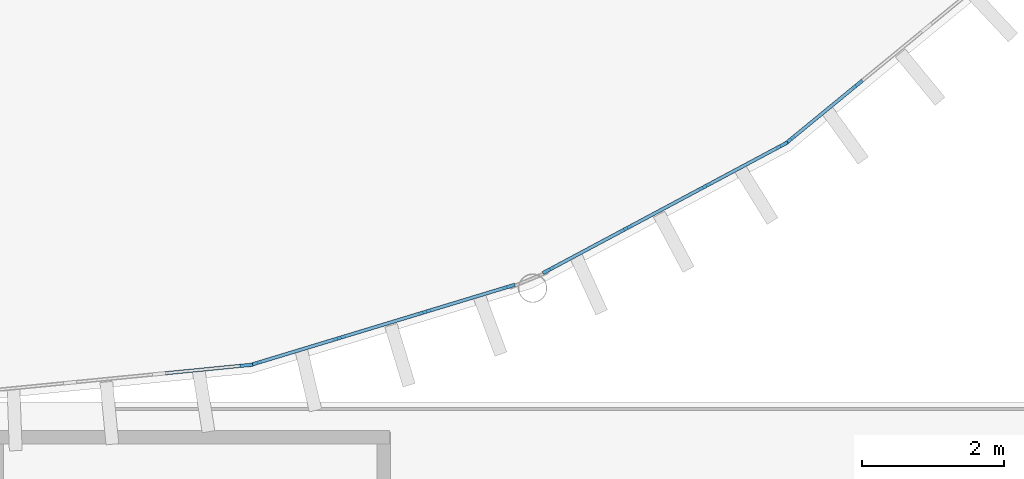
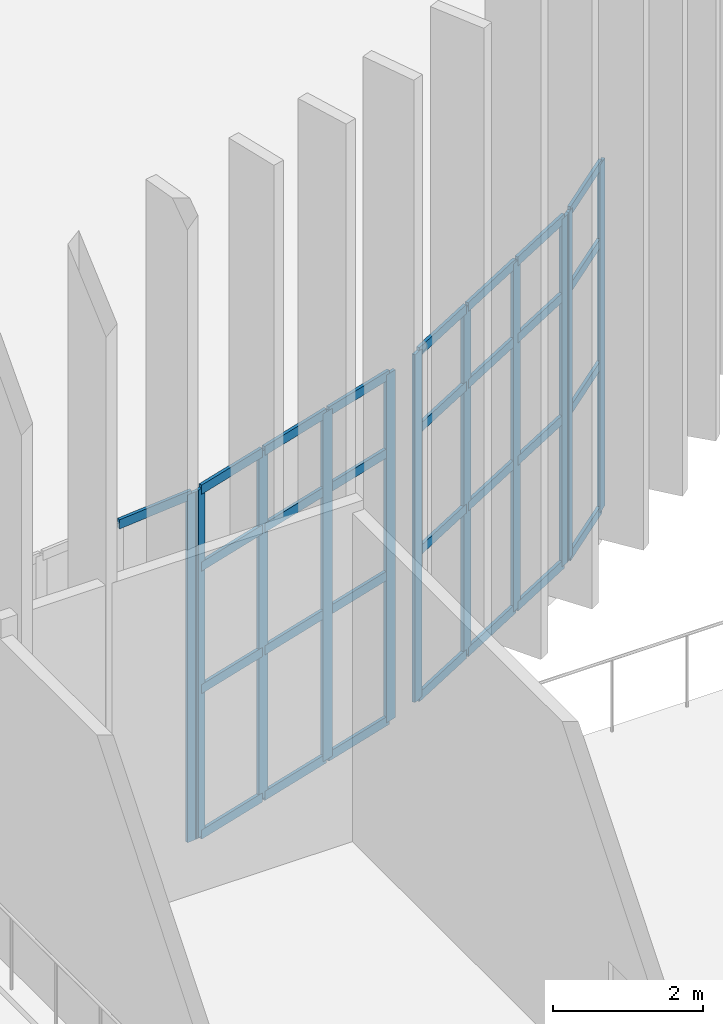
# One storey, part 53 of 139: 40 members, 4 elements without a shape of their own.
"""IFC4 building model written with IfcOpenShell, lengths in metres."""

import ifcopenshell
import ifcopenshell.guid

model = None  # the IFC model being written
_history = None  # IfcOwnerHistory: only IFC2X3 demands one
_inside = {}  # id of a spatial element -> (the spatial element, [elements in it])
_under = {}  # id of a project, library or spatial element -> (it, [spatial elements below it])
_declared = {}  # id of a project -> (the project, [libraries it declares])
_typed = {}  # id of a type object -> (the type object, [elements of that type])
_made_of = {}  # id of a material, layer set ... -> (it, [elements and type objects made of it])


def new_model(schema):
    """Start an empty IFC model of exactly this schema.

    Asked for "IFC4X3", IfcOpenShell would pick the latest addendum, in which some entities
    have other attributes; the version numbers below select the first issue.
    IFC2X3 requires an IfcOwnerHistory on every rooted entity: one is made here for all.
    """
    global model, _history
    if schema == "IFC4X3":
        model = ifcopenshell.file(schema_version=(4, 3, 0, 0))
    else:
        model = ifcopenshell.file(schema=schema)
    _inside.clear()
    _under.clear()
    _declared.clear()
    _typed.clear()
    _made_of.clear()
    _history = None
    if model.schema == "IFC2X3":
        org = make("IfcOrganization", Name="unknown")
        user = make(
            "IfcPersonAndOrganization",
            ThePerson=make("IfcPerson", FamilyName="unknown"),
            TheOrganization=org,
        )
        app = make(
            "IfcApplication",
            ApplicationDeveloper=org,
            Version="unknown",
            ApplicationFullName="unknown",
            ApplicationIdentifier="unknown",
        )
        _history = make(
            "IfcOwnerHistory",
            OwningUser=user,
            OwningApplication=app,
            ChangeAction="ADDED",
            CreationDate=0,
        )
    return model


def make(cls, **values):
    """One entity of the class cls with the attributes given. An attribute that is None is left unset."""
    return model.create_entity(
        cls, **{name: value for name, value in values.items() if value is not None}
    )


def rooted(cls, **values):
    """An entity with a GlobalId (a new one), such as an element, a storey or a relation."""
    return make(cls, GlobalId=ifcopenshell.guid.new(), OwnerHistory=_history, **values)


def si_unit(unit_type, name, prefix=None):
    """IfcSIUnit, for example si_unit("LENGTHUNIT", "METRE", prefix="MILLI")."""
    return make("IfcSIUnit", UnitType=unit_type, Prefix=prefix, Name=name)


def assignment(units):
    """IfcUnitAssignment: the units of a project."""
    return None if units is None else make("IfcUnitAssignment", Units=units)


def point(xyz):
    """IfcCartesianPoint."""
    return None if xyz is None else make("IfcCartesianPoint", Coordinates=xyz)


def direction(xyz):
    """IfcDirection."""
    return None if xyz is None else make("IfcDirection", DirectionRatios=xyz)


def frame(location, z_axis=None, x_axis=None):
    """IfcAxis2Placement3D, a coordinate frame: its origin and axes. An axis left out is left unset."""
    return make(
        "IfcAxis2Placement3D",
        Location=point(location),
        Axis=direction(z_axis),
        RefDirection=direction(x_axis),
    )


def frame_2d(location, x_axis=None):
    """IfcAxis2Placement2D, a coordinate frame in the plane: its origin and x axis."""
    return make(
        "IfcAxis2Placement2D", Location=point(location), RefDirection=direction(x_axis)
    )


def origin():
    """The frame at (0, 0, 0) with its axes left unset."""
    return frame((0.0, 0.0, 0.0))


def origin_2d():
    """The frame at (0, 0) in the plane with its x axis left unset."""
    return frame_2d((0.0, 0.0))


def place(relative_to, where):
    """IfcLocalPlacement: puts the frame where relative to a parent placement (None: the world)."""
    return make(
        "IfcLocalPlacement", PlacementRelTo=relative_to, RelativePlacement=where
    )


def context(
    kind, dimensions, precision=None, world=None, true_north=None, identifier=None
):
    """IfcGeometricRepresentationContext, for example the 3D "Model" context."""
    return make(
        "IfcGeometricRepresentationContext",
        ContextIdentifier=identifier,
        ContextType=kind,
        CoordinateSpaceDimension=dimensions,
        Precision=precision,
        WorldCoordinateSystem=world,
        TrueNorth=true_north,
    )


def subcontext(parent, identifier, kind, view, scale=None):
    """IfcGeometricRepresentationSubContext, for example "Body" below "Model"."""
    return make(
        "IfcGeometricRepresentationSubContext",
        ContextIdentifier=identifier,
        ContextType=kind,
        ParentContext=parent,
        TargetScale=scale,
        TargetView=view,
    )


def project(units=None, contexts=None):
    """IfcProject with its units and contexts."""
    return rooted(
        "IfcProject",
        Name="project",
        RepresentationContexts=contexts,
        UnitsInContext=assignment(units),
    )


def spatial(cls, under=None, at=None, **own):
    """A site, building, storey or space (cls), placed at a placement, below another one or the project."""
    s = rooted(cls, ObjectPlacement=at, **own)
    if under is not None:
        _under.setdefault(under.id(), (under, []))[1].append(s)
    return s


def profile(cls, at=None, kind="AREA", **sizes):
    """A parametric profile (cls). Its sizes go by their IFC names, for example OverallWidth=200.0."""
    return make(cls, ProfileType=kind, Position=at, **sizes)


def rectangle(**sizes):
    """IfcRectangleProfileDef."""
    return profile("IfcRectangleProfileDef", **sizes)


def extrude(swept, where, along, depth):
    """IfcExtrudedAreaSolid: the profile swept, set in the frame where, extruded along a direction by depth."""
    return make(
        "IfcExtrudedAreaSolid",
        SweptArea=swept,
        Position=where,
        ExtrudedDirection=direction(along),
        Depth=depth,
    )


def shape(context_of_items, identifier, shape_type, items):
    """IfcShapeRepresentation: the items that make up one representation, for example the "Body"."""
    return make(
        "IfcShapeRepresentation",
        ContextOfItems=context_of_items,
        RepresentationIdentifier=identifier,
        RepresentationType=shape_type,
        Items=items,
    )


def material(Name=None, Category=None):
    """IfcMaterial."""
    return make("IfcMaterial", Name=Name, Category=Category)


def layer(
    of_material, thickness, ventilated=None, Name=None, Category=None, Priority=None
):
    """IfcMaterialLayer: one layer of a wall or slab, of a material (None: an air gap)."""
    return make(
        "IfcMaterialLayer",
        Material=of_material,
        LayerThickness=thickness,
        IsVentilated=ventilated,
        Name=Name,
        Category=Category,
        Priority=Priority,
    )


def layer_set(layers, Name=None):
    """IfcMaterialLayerSet."""
    return make("IfcMaterialLayerSet", MaterialLayers=layers, LayerSetName=Name)


def material_profile(
    of_material, cross_section, Name=None, Category=None, Priority=None
):
    """IfcMaterialProfile: a cross section and its material."""
    return make(
        "IfcMaterialProfile",
        Name=Name,
        Material=of_material,
        Profile=cross_section,
        Priority=Priority,
        Category=Category,
    )


def profile_set(profiles, Name=None, composite=None):
    """IfcMaterialProfileSet."""
    return make(
        "IfcMaterialProfileSet",
        Name=Name,
        MaterialProfiles=profiles,
        CompositeProfile=composite,
    )


def made_of(thing, what):
    """Note that an element or type object is made of a material, layer set ...; save() writes the relation."""
    if what is not None:
        _made_of.setdefault(what.id(), (what, []))[1].append(thing)
    return thing


def type_object(cls, material=None, **own):
    """A type object (cls), such as IfcWallType, which elements share."""
    return made_of(rooted(cls, **own), material)


def element(
    cls,
    number,
    at=None,
    inside=None,
    cuts=None,
    type_object=None,
    material=None,
    context=None,
    identifier="Body",
    shape_type=None,
    held_by="IfcProductDefinitionShape",
    body=None,
    shapes=None,
    **own,
):
    """One element of the class cls, such as IfcWall. Its Tag is "e" and its number.

    at: its placement. inside: the storey or other place that contains it. cuts: it is an
    opening in that element (IfcRelVoidsElement). A single representation is given by context,
    identifier, shape_type and body (its items); several are given by shapes. held_by: the class
    of the entity that holds the representations. save() writes the other relations.
    """
    e = rooted(cls, Tag="e%d" % number, ObjectPlacement=at, **own)
    if body is not None:
        shapes = [shape(context, identifier, shape_type, body)]
    if shapes is not None:
        e.Representation = make(held_by, Representations=shapes)
    if inside is not None:
        _inside.setdefault(inside.id(), (inside, []))[1].append(e)
    if cuts is not None:
        rooted(
            "IfcRelVoidsElement", RelatingBuildingElement=cuts, RelatedOpeningElement=e
        )
    if type_object is not None:
        _typed.setdefault(type_object.id(), (type_object, []))[1].append(e)
    return made_of(e, material)


def aggregate(whole, parts):
    """IfcRelAggregates: a whole, such as a stair, and the parts it consists of."""
    return rooted("IfcRelAggregates", RelatingObject=whole, RelatedObjects=parts)


def save(model, path):
    """Write the relations noted so far, then the file.

    IfcRelAggregates (storeys below a building ...), IfcRelContainedInSpatialStructure (elements
    in a storey), IfcRelDefinesByType, IfcRelAssociatesMaterial and IfcRelDeclares: one each for
    every whole, place, type object, material and project.
    """
    for whole, parts in _under.values():
        aggregate(whole, parts)
    for where, things in _inside.values():
        rooted(
            "IfcRelContainedInSpatialStructure",
            RelatedElements=things,
            RelatingStructure=where,
        )
    for kind, things in _typed.values():
        rooted("IfcRelDefinesByType", RelatedObjects=things, RelatingType=kind)
    for what, things in _made_of.values():
        rooted("IfcRelAssociatesMaterial", RelatedObjects=things, RelatingMaterial=what)
    for by, libraries in _declared.values():
        rooted("IfcRelDeclares", RelatingContext=by, RelatedDefinitions=libraries)
    model.write(path)


model = new_model("IFC4")

# Units and contexts
model_context = context("Model", 3, precision=1e-05, world=origin(), true_north=direction((0.0, 1.0)))
body_context = subcontext(model_context, "Body", "Model", "MODEL_VIEW")
ifc_project = project(units=[si_unit("LENGTHUNIT", "METRE"), si_unit("AREAUNIT", "SQUARE_METRE"), si_unit("VOLUMEUNIT", "CUBIC_METRE"), si_unit("PLANEANGLEUNIT", "RADIAN"), si_unit("MASSUNIT", "GRAM", prefix="KILO")], contexts=[model_context])

# Site, building, storey
site_placement = place(None, origin())
site = spatial("IfcSite", under=ifc_project, at=site_placement, CompositionType="ELEMENT")
building_placement = place(site_placement, origin())
building = spatial("IfcBuilding", under=site, at=building_placement, Name="Yeouljin Market Hall", CompositionType="ELEMENT")
storey_placement = place(building_placement, origin())
storey = spatial("IfcBuildingStorey", under=building, at=storey_placement, Name="L00", CompositionType="ELEMENT", Elevation=0.0)

# Curtain wall, member
ifc_material_1 = material(Name="Thermally Broken Aluminium", Category="aluminium")
ifc_layer = layer(ifc_material_1, 0.179931640625)
ifc_layer_set = layer_set([ifc_layer], Name="Thermally Broken Aluminium")
curtain_wall_type = type_object("IfcCurtainWallType", Name="CW_ApseCurved_System", PredefinedType="USERDEFINED", material=ifc_layer_set)
curtain_wall_1_placement = place(storey_placement, origin())
curtain_wall_1 = element("IfcCurtainWall", 1, at=curtain_wall_1_placement, inside=storey, type_object=curtain_wall_type, Name="Curtain wall CW-AP-EL00-01", ObjectType="CURTAIN WALL", PredefinedType="USERDEFINED")
ifc_material_2 = material(Name="Thermally Broken Aluminium", Category="aluminium")
ifc_material_profile_1 = material_profile(ifc_material_2, rectangle(XDim=0.048095703125, YDim=0.179931640625, at=origin_2d()), Name="CW-MULL-48x180")
ifc_profile_set_1 = profile_set([ifc_material_profile_1], Name="Thermally Broken Aluminium")
member_type_1 = type_object("IfcMemberType", Name="CWMullion_48x180", PredefinedType="MULLION", material=ifc_profile_set_1)
member_1_placement = place(storey_placement, frame((145.009765625, 36.514892578125, 0.0), z_axis=(0.0, 0.0, 1.0), x_axis=(0.09803414403, -0.995183051807, 0.0)))
member_1 = element("IfcMember", 2, at=member_1_placement, type_object=member_type_1, Name="CW-03 mullion 1", PredefinedType="MULLION", context=body_context, shape_type="SweptSolid", body=[
    extrude(rectangle(XDim=0.048095703125, YDim=0.179931640625, at=origin_2d()), origin(), (0.0, 0.0, 1.0), 5.679931640625),
])

# Curtain wall, members
curtain_wall_2_placement = place(storey_placement, origin())
curtain_wall_2 = element("IfcCurtainWall", 3, at=curtain_wall_2_placement, inside=storey, type_object=curtain_wall_type, Name="Curtain wall CW-AP-EL00-02", ObjectType="CURTAIN WALL", PredefinedType="USERDEFINED")
member_2_placement = place(storey_placement, frame((148.699462890625, 37.62109375, 0.0), z_axis=(0.0, 0.0, 1.0), x_axis=(0.290286164863, -0.95693988447, 0.0)))
member_2 = element("IfcMember", 4, at=member_2_placement, type_object=member_type_1, Name="CW-03 mullion 1", PredefinedType="MULLION", context=body_context, shape_type="SweptSolid", body=[
    extrude(rectangle(XDim=0.048095703125, YDim=0.179931640625, at=origin_2d()), origin(), (0.0, 0.0, 1.0), 5.679931640625),
])
member_3_placement = place(storey_placement, frame((147.51904296875, 37.262939453125, 0.0), z_axis=(0.0, 0.0, 1.0), x_axis=(0.290286164863, -0.95693988447, 0.0)))
member_3 = element("IfcMember", 5, at=member_3_placement, type_object=member_type_1, Name="CW-03 mullion 2", PredefinedType="MULLION", context=body_context, shape_type="SweptSolid", body=[
    extrude(rectangle(XDim=0.048095703125, YDim=0.179931640625, at=origin_2d()), origin(), (0.0, 0.0, 1.0), 5.679931640625),
])
member_4_placement = place(storey_placement, frame((146.3154296875, 36.89794921875, 0.0), z_axis=(0.0, 0.0, 1.0), x_axis=(0.290286164863, -0.95693988447, 0.0)))
member_4 = element("IfcMember", 6, at=member_4_placement, type_object=member_type_1, Name="CW-03 mullion 3", PredefinedType="MULLION", context=body_context, shape_type="SweptSolid", body=[
    extrude(rectangle(XDim=0.048095703125, YDim=0.179931640625, at=origin_2d()), origin(), (0.0, 0.0, 1.0), 5.679931640625),
])
member_5_placement = place(storey_placement, frame((145.134765625, 36.539794921875, 0.0), z_axis=(0.0, 0.0, 1.0), x_axis=(0.290286164863, -0.95693988447, 0.0)))
member_5 = element("IfcMember", 7, at=member_5_placement, type_object=member_type_1, Name="CW-03 mullion 4", PredefinedType="MULLION", context=body_context, shape_type="SweptSolid", body=[
    extrude(rectangle(XDim=0.048095703125, YDim=0.179931640625, at=origin_2d()), origin(), (0.0, 0.0, 1.0), 5.679931640625),
])

curtain_wall_3_placement = place(storey_placement, origin())
curtain_wall_3 = element("IfcCurtainWall", 8, at=curtain_wall_3_placement, inside=storey, type_object=curtain_wall_type, Name="Curtain wall CW-AP-EL00-03", ObjectType="CURTAIN WALL", PredefinedType="USERDEFINED")
member_6_placement = place(storey_placement, frame((152.5439453125, 39.608642578125, 0.0), z_axis=(0.0, 0.0, 1.0), x_axis=(0.471377626598, -0.881931478712, 0.0)))
member_6 = element("IfcMember", 9, at=member_6_placement, type_object=member_type_1, Name="CW-03 mullion 1", PredefinedType="MULLION", context=body_context, shape_type="SweptSolid", body=[
    extrude(rectangle(XDim=0.048095703125, YDim=0.179931640625, at=origin_2d()), origin(), (0.0, 0.0, 1.0), 5.679931640625),
])
member_7_placement = place(storey_placement, frame((151.455810546875, 39.027099609375, 0.0), z_axis=(0.0, 0.0, 1.0), x_axis=(0.471377626598, -0.881931478712, 0.0)))
member_7 = element("IfcMember", 10, at=member_7_placement, type_object=member_type_1, Name="CW-03 mullion 2", PredefinedType="MULLION", context=body_context, shape_type="SweptSolid", body=[
    extrude(rectangle(XDim=0.048095703125, YDim=0.179931640625, at=origin_2d()), origin(), (0.0, 0.0, 1.0), 5.679931640625),
])
member_8_placement = place(storey_placement, frame((150.346435546875, 38.434326171875, 0.0), z_axis=(0.0, 0.0, 1.0), x_axis=(0.471377626598, -0.881931478712, 0.0)))
member_8 = element("IfcMember", 11, at=member_8_placement, type_object=member_type_1, Name="CW-03 mullion 3", PredefinedType="MULLION", context=body_context, shape_type="SweptSolid", body=[
    extrude(rectangle(XDim=0.048095703125, YDim=0.179931640625, at=origin_2d()), origin(), (0.0, 0.0, 1.0), 5.679931640625),
])
member_9_placement = place(storey_placement, frame((149.258544921875, 37.852783203125, 0.0), z_axis=(0.0, 0.0, 1.0), x_axis=(0.471377626598, -0.881931478712, 0.0)))
member_9 = element("IfcMember", 12, at=member_9_placement, type_object=member_type_1, Name="CW-03 mullion 4", PredefinedType="MULLION", context=body_context, shape_type="SweptSolid", body=[
    extrude(rectangle(XDim=0.048095703125, YDim=0.179931640625, at=origin_2d()), origin(), (0.0, 0.0, 1.0), 5.679931640625),
])

curtain_wall_4_placement = place(storey_placement, origin())
curtain_wall_4 = element("IfcCurtainWall", 13, at=curtain_wall_4_placement, inside=storey, type_object=curtain_wall_type, Name="Curtain wall CW-AP-EL00-04", ObjectType="CURTAIN WALL", PredefinedType="USERDEFINED")
member_10_placement = place(storey_placement, frame((153.603515625, 40.462158203125, 0.0), z_axis=(0.0, 0.0, 1.0), x_axis=(0.634384432096, -0.773017717982, 0.0)))
member_10 = element("IfcMember", 14, at=member_10_placement, type_object=member_type_1, Name="CW-03 mullion 3", PredefinedType="MULLION", context=body_context, shape_type="SweptSolid", body=[
    extrude(rectangle(XDim=0.048095703125, YDim=0.179931640625, at=origin_2d()), origin(), (0.0, 0.0, 1.0), 5.679931640625),
])
member_11_placement = place(storey_placement, frame((152.649658203125, 39.679443359375, 0.0), z_axis=(0.0, 0.0, 1.0), x_axis=(0.634384432096, -0.773017717982, 0.0)))
member_11 = element("IfcMember", 15, at=member_11_placement, type_object=member_type_1, Name="CW-03 mullion 4", PredefinedType="MULLION", context=body_context, shape_type="SweptSolid", body=[
    extrude(rectangle(XDim=0.048095703125, YDim=0.179931640625, at=origin_2d()), origin(), (0.0, 0.0, 1.0), 5.679931640625),
])

# Member
ifc_material_3 = material(Name="Thermally Broken Aluminium", Category="aluminium")
ifc_material_profile_2 = material_profile(ifc_material_3, rectangle(XDim=0.048095703125, YDim=0.14990234375, at=origin_2d()), Name="CW-TRAN-48x150")
ifc_profile_set_2 = profile_set([ifc_material_profile_2], Name="Thermally Broken Aluminium")
member_type_2 = type_object("IfcMemberType", Name="CWTransom_48x150", PredefinedType="USERDEFINED", material=ifc_profile_set_2)
member_12_placement = place(storey_placement, frame((144.98583984375, 36.5126953125, 5.656005859375), z_axis=(-0.995164800405, -0.098219244733, 0.0), x_axis=(0.098219244733, -0.995164800405, 0.0)))
member_12 = element("IfcMember", 16, at=member_12_placement, type_object=member_type_2, Name="CW-03 transom 1.4", ObjectType="TRANSOM", PredefinedType="USERDEFINED", context=body_context, shape_type="SweptSolid", body=[
    extrude(rectangle(XDim=0.048095703125, YDim=0.14990234375, at=origin_2d()), origin(), (0.0, 0.0, 1.0), 1.185546875),
])

aggregate(curtain_wall_1, [member_1, member_12])

member_13_placement = place(storey_placement, frame((148.676513671875, 37.6142578125, 0.02392578125), z_axis=(-0.95692042936, -0.290350291671, 0.0), x_axis=(0.290350291671, -0.95692042936, 0.0)))
member_13 = element("IfcMember", 17, at=member_13_placement, type_object=member_type_2, Name="CW-03 transom 1.1", ObjectType="TRANSOM", PredefinedType="USERDEFINED", context=body_context, shape_type="SweptSolid", body=[
    extrude(rectangle(XDim=0.048095703125, YDim=0.14990234375, at=origin_2d()), origin(), (0.0, 0.0, 1.0), 1.185546875),
])

member_14_placement = place(storey_placement, frame((148.676513671875, 37.6142578125, 2.39990234375), z_axis=(-0.95692042936, -0.290350291671, 0.0), x_axis=(0.290350291671, -0.95692042936, 0.0)))
member_14 = element("IfcMember", 18, at=member_14_placement, type_object=member_type_2, Name="CW-03 transom 1.2", ObjectType="TRANSOM", PredefinedType="USERDEFINED", context=body_context, shape_type="SweptSolid", body=[
    extrude(rectangle(XDim=0.048095703125, YDim=0.14990234375, at=origin_2d()), origin(), (0.0, 0.0, 1.0), 1.185546875),
])

member_15_placement = place(storey_placement, frame((148.676513671875, 37.6142578125, 4.39990234375), z_axis=(-0.95692042936, -0.290350291671, 0.0), x_axis=(0.290350291671, -0.95692042936, 0.0)))
member_15 = element("IfcMember", 19, at=member_15_placement, type_object=member_type_2, Name="CW-03 transom 1.3", ObjectType="TRANSOM", PredefinedType="USERDEFINED", context=body_context, shape_type="SweptSolid", body=[
    extrude(rectangle(XDim=0.048095703125, YDim=0.14990234375, at=origin_2d()), origin(), (0.0, 0.0, 1.0), 1.185546875),
])

member_16_placement = place(storey_placement, frame((148.676513671875, 37.6142578125, 5.656005859375), z_axis=(-0.95692042936, -0.290350291671, 0.0), x_axis=(0.290350291671, -0.95692042936, 0.0)))
member_16 = element("IfcMember", 20, at=member_16_placement, type_object=member_type_2, Name="CW-03 transom 1.4", ObjectType="TRANSOM", PredefinedType="USERDEFINED", context=body_context, shape_type="SweptSolid", body=[
    extrude(rectangle(XDim=0.048095703125, YDim=0.14990234375, at=origin_2d()), origin(), (0.0, 0.0, 1.0), 1.185546875),
])

member_17_placement = place(storey_placement, frame((147.495849609375, 37.256103515625, 0.02392578125), z_axis=(-0.956893599111, -0.29043870262, 0.0), x_axis=(0.29043870262, -0.956893599111, 0.0)))
member_17 = element("IfcMember", 21, at=member_17_placement, type_object=member_type_2, Name="CW-03 transom 2.1", ObjectType="TRANSOM", PredefinedType="USERDEFINED", context=body_context, shape_type="SweptSolid", body=[
    extrude(rectangle(XDim=0.048095703125, YDim=0.14990234375, at=origin_2d()), origin(), (0.0, 0.0, 1.0), 1.209716796875),
])

member_18_placement = place(storey_placement, frame((147.495849609375, 37.256103515625, 2.39990234375), z_axis=(-0.956893599111, -0.29043870262, 0.0), x_axis=(0.29043870262, -0.956893599111, 0.0)))
member_18 = element("IfcMember", 22, at=member_18_placement, type_object=member_type_2, Name="CW-03 transom 2.2", ObjectType="TRANSOM", PredefinedType="USERDEFINED", context=body_context, shape_type="SweptSolid", body=[
    extrude(rectangle(XDim=0.048095703125, YDim=0.14990234375, at=origin_2d()), origin(), (0.0, 0.0, 1.0), 1.209716796875),
])

member_19_placement = place(storey_placement, frame((147.495849609375, 37.256103515625, 4.39990234375), z_axis=(-0.956893599111, -0.29043870262, 0.0), x_axis=(0.29043870262, -0.956893599111, 0.0)))
member_19 = element("IfcMember", 23, at=member_19_placement, type_object=member_type_2, Name="CW-03 transom 2.3", ObjectType="TRANSOM", PredefinedType="USERDEFINED", context=body_context, shape_type="SweptSolid", body=[
    extrude(rectangle(XDim=0.048095703125, YDim=0.14990234375, at=origin_2d()), origin(), (0.0, 0.0, 1.0), 1.209716796875),
])

member_20_placement = place(storey_placement, frame((147.495849609375, 37.256103515625, 5.656005859375), z_axis=(-0.956893599111, -0.29043870262, 0.0), x_axis=(0.29043870262, -0.956893599111, 0.0)))
member_20 = element("IfcMember", 24, at=member_20_placement, type_object=member_type_2, Name="CW-03 transom 2.4", ObjectType="TRANSOM", PredefinedType="USERDEFINED", context=body_context, shape_type="SweptSolid", body=[
    extrude(rectangle(XDim=0.048095703125, YDim=0.14990234375, at=origin_2d()), origin(), (0.0, 0.0, 1.0), 1.209716796875),
])

member_21_placement = place(storey_placement, frame((146.29248046875, 36.890869140625, 0.02392578125), z_axis=(-0.956937784149, -0.290293088565, 0.0), x_axis=(0.290293088565, -0.956937784149, 0.0)))
member_21 = element("IfcMember", 25, at=member_21_placement, type_object=member_type_2, Name="CW-03 transom 3.1", ObjectType="TRANSOM", PredefinedType="USERDEFINED", context=body_context, shape_type="SweptSolid", body=[
    extrude(rectangle(XDim=0.048095703125, YDim=0.14990234375, at=origin_2d()), origin(), (0.0, 0.0, 1.0), 1.185791015625),
])

member_22_placement = place(storey_placement, frame((146.29248046875, 36.890869140625, 2.39990234375), z_axis=(-0.956937784149, -0.290293088565, 0.0), x_axis=(0.290293088565, -0.956937784149, 0.0)))
member_22 = element("IfcMember", 26, at=member_22_placement, type_object=member_type_2, Name="CW-03 transom 3.2", ObjectType="TRANSOM", PredefinedType="USERDEFINED", context=body_context, shape_type="SweptSolid", body=[
    extrude(rectangle(XDim=0.048095703125, YDim=0.14990234375, at=origin_2d()), origin(), (0.0, 0.0, 1.0), 1.185791015625),
])

member_23_placement = place(storey_placement, frame((146.29248046875, 36.890869140625, 4.39990234375), z_axis=(-0.956937784149, -0.290293088565, 0.0), x_axis=(0.290293088565, -0.956937784149, 0.0)))
member_23 = element("IfcMember", 27, at=member_23_placement, type_object=member_type_2, Name="CW-03 transom 3.3", ObjectType="TRANSOM", PredefinedType="USERDEFINED", context=body_context, shape_type="SweptSolid", body=[
    extrude(rectangle(XDim=0.048095703125, YDim=0.14990234375, at=origin_2d()), origin(), (0.0, 0.0, 1.0), 1.185791015625),
])

member_24_placement = place(storey_placement, frame((146.29248046875, 36.890869140625, 5.656005859375), z_axis=(-0.956937784149, -0.290293088565, 0.0), x_axis=(0.290293088565, -0.956937784149, 0.0)))
member_24 = element("IfcMember", 28, at=member_24_placement, type_object=member_type_2, Name="CW-03 transom 3.4", ObjectType="TRANSOM", PredefinedType="USERDEFINED", context=body_context, shape_type="SweptSolid", body=[
    extrude(rectangle(XDim=0.048095703125, YDim=0.14990234375, at=origin_2d()), origin(), (0.0, 0.0, 1.0), 1.185791015625),
])

aggregate(curtain_wall_2, [member_2, member_3, member_4, member_5, member_13, member_14, member_15, member_16, member_17, member_18, member_19, member_20, member_21, member_22, member_23, member_24])

member_25_placement = place(storey_placement, frame((152.522705078125, 39.597412109375, 0.02392578125), z_axis=(-0.881862296401, -0.471507041503, 0.0), x_axis=(0.471507041503, -0.881862296401, 0.0)))
member_25 = element("IfcMember", 29, at=member_25_placement, type_object=member_type_2, Name="CW-03 transom 1.1", ObjectType="TRANSOM", PredefinedType="USERDEFINED", context=body_context, shape_type="SweptSolid", body=[
    extrude(rectangle(XDim=0.048095703125, YDim=0.14990234375, at=origin_2d()), origin(), (0.0, 0.0, 1.0), 1.185791015625),
])

member_26_placement = place(storey_placement, frame((152.522705078125, 39.597412109375, 2.39990234375), z_axis=(-0.881862296401, -0.471507041503, 0.0), x_axis=(0.471507041503, -0.881862296401, 0.0)))
member_26 = element("IfcMember", 30, at=member_26_placement, type_object=member_type_2, Name="CW-03 transom 1.2", ObjectType="TRANSOM", PredefinedType="USERDEFINED", context=body_context, shape_type="SweptSolid", body=[
    extrude(rectangle(XDim=0.048095703125, YDim=0.14990234375, at=origin_2d()), origin(), (0.0, 0.0, 1.0), 1.185791015625),
])

member_27_placement = place(storey_placement, frame((152.522705078125, 39.597412109375, 4.39990234375), z_axis=(-0.881862296401, -0.471507041503, 0.0), x_axis=(0.471507041503, -0.881862296401, 0.0)))
member_27 = element("IfcMember", 31, at=member_27_placement, type_object=member_type_2, Name="CW-03 transom 1.3", ObjectType="TRANSOM", PredefinedType="USERDEFINED", context=body_context, shape_type="SweptSolid", body=[
    extrude(rectangle(XDim=0.048095703125, YDim=0.14990234375, at=origin_2d()), origin(), (0.0, 0.0, 1.0), 1.185791015625),
])

member_28_placement = place(storey_placement, frame((152.522705078125, 39.597412109375, 5.656005859375), z_axis=(-0.881862296401, -0.471507041503, 0.0), x_axis=(0.471507041503, -0.881862296401, 0.0)))
member_28 = element("IfcMember", 32, at=member_28_placement, type_object=member_type_2, Name="CW-03 transom 1.4", ObjectType="TRANSOM", PredefinedType="USERDEFINED", context=body_context, shape_type="SweptSolid", body=[
    extrude(rectangle(XDim=0.048095703125, YDim=0.14990234375, at=origin_2d()), origin(), (0.0, 0.0, 1.0), 1.185791015625),
])

member_29_placement = place(storey_placement, frame((151.4345703125, 39.015869140625, 0.02392578125), z_axis=(-0.881905630458, -0.471425984611, 0.0), x_axis=(0.471425984611, -0.881905630458, 0.0)))
member_29 = element("IfcMember", 33, at=member_29_placement, type_object=member_type_2, Name="CW-03 transom 2.1", ObjectType="TRANSOM", PredefinedType="USERDEFINED", context=body_context, shape_type="SweptSolid", body=[
    extrude(rectangle(XDim=0.048095703125, YDim=0.14990234375, at=origin_2d()), origin(), (0.0, 0.0, 1.0), 1.209716796875),
])

member_30_placement = place(storey_placement, frame((151.4345703125, 39.015869140625, 2.39990234375), z_axis=(-0.881905630458, -0.471425984611, 0.0), x_axis=(0.471425984611, -0.881905630458, 0.0)))
member_30 = element("IfcMember", 34, at=member_30_placement, type_object=member_type_2, Name="CW-03 transom 2.2", ObjectType="TRANSOM", PredefinedType="USERDEFINED", context=body_context, shape_type="SweptSolid", body=[
    extrude(rectangle(XDim=0.048095703125, YDim=0.14990234375, at=origin_2d()), origin(), (0.0, 0.0, 1.0), 1.209716796875),
])

member_31_placement = place(storey_placement, frame((151.4345703125, 39.015869140625, 4.39990234375), z_axis=(-0.881905630458, -0.471425984611, 0.0), x_axis=(0.471425984611, -0.881905630458, 0.0)))
member_31 = element("IfcMember", 35, at=member_31_placement, type_object=member_type_2, Name="CW-03 transom 2.3", ObjectType="TRANSOM", PredefinedType="USERDEFINED", context=body_context, shape_type="SweptSolid", body=[
    extrude(rectangle(XDim=0.048095703125, YDim=0.14990234375, at=origin_2d()), origin(), (0.0, 0.0, 1.0), 1.209716796875),
])

member_32_placement = place(storey_placement, frame((151.4345703125, 39.015869140625, 5.656005859375), z_axis=(-0.881905630458, -0.471425984611, 0.0), x_axis=(0.471425984611, -0.881905630458, 0.0)))
member_32 = element("IfcMember", 36, at=member_32_placement, type_object=member_type_2, Name="CW-03 transom 2.4", ObjectType="TRANSOM", PredefinedType="USERDEFINED", context=body_context, shape_type="SweptSolid", body=[
    extrude(rectangle(XDim=0.048095703125, YDim=0.14990234375, at=origin_2d()), origin(), (0.0, 0.0, 1.0), 1.209716796875),
])

member_33_placement = place(storey_placement, frame((150.325439453125, 38.4228515625, 0.02392578125), z_axis=(-0.881993639521, -0.471261307391, 0.0), x_axis=(0.471261307391, -0.881993639521, 0.0)))
member_33 = element("IfcMember", 37, at=member_33_placement, type_object=member_type_2, Name="CW-03 transom 3.1", ObjectType="TRANSOM", PredefinedType="USERDEFINED", context=body_context, shape_type="SweptSolid", body=[
    extrude(rectangle(XDim=0.048095703125, YDim=0.14990234375, at=origin_2d()), origin(), (0.0, 0.0, 1.0), 1.185791015625),
])

member_34_placement = place(storey_placement, frame((150.325439453125, 38.4228515625, 2.39990234375), z_axis=(-0.881993639521, -0.471261307391, 0.0), x_axis=(0.471261307391, -0.881993639521, 0.0)))
member_34 = element("IfcMember", 38, at=member_34_placement, type_object=member_type_2, Name="CW-03 transom 3.2", ObjectType="TRANSOM", PredefinedType="USERDEFINED", context=body_context, shape_type="SweptSolid", body=[
    extrude(rectangle(XDim=0.048095703125, YDim=0.14990234375, at=origin_2d()), origin(), (0.0, 0.0, 1.0), 1.185791015625),
])

member_35_placement = place(storey_placement, frame((150.325439453125, 38.4228515625, 4.39990234375), z_axis=(-0.881993639521, -0.471261307391, 0.0), x_axis=(0.471261307391, -0.881993639521, 0.0)))
member_35 = element("IfcMember", 39, at=member_35_placement, type_object=member_type_2, Name="CW-03 transom 3.3", ObjectType="TRANSOM", PredefinedType="USERDEFINED", context=body_context, shape_type="SweptSolid", body=[
    extrude(rectangle(XDim=0.048095703125, YDim=0.14990234375, at=origin_2d()), origin(), (0.0, 0.0, 1.0), 1.185791015625),
])

member_36_placement = place(storey_placement, frame((150.325439453125, 38.4228515625, 5.656005859375), z_axis=(-0.881993639521, -0.471261307391, 0.0), x_axis=(0.471261307391, -0.881993639521, 0.0)))
member_36 = element("IfcMember", 40, at=member_36_placement, type_object=member_type_2, Name="CW-03 transom 3.4", ObjectType="TRANSOM", PredefinedType="USERDEFINED", context=body_context, shape_type="SweptSolid", body=[
    extrude(rectangle(XDim=0.048095703125, YDim=0.14990234375, at=origin_2d()), origin(), (0.0, 0.0, 1.0), 1.185791015625),
])

aggregate(curtain_wall_3, [member_6, member_7, member_8, member_9, member_25, member_26, member_27, member_28, member_29, member_30, member_31, member_32, member_33, member_34, member_35, member_36])

member_37_placement = place(storey_placement, frame((153.5849609375, 40.447021484375, 0.02392578125), z_axis=(-0.773075959133, -0.634313456748, 0.0), x_axis=(0.634313456748, -0.773075959133, 0.0)))
member_37 = element("IfcMember", 41, at=member_37_placement, type_object=member_type_2, Name="CW-03 transom 3.1", ObjectType="TRANSOM", PredefinedType="USERDEFINED", context=body_context, shape_type="SweptSolid", body=[
    extrude(rectangle(XDim=0.048095703125, YDim=0.14990234375, at=origin_2d()), origin(), (0.0, 0.0, 1.0), 1.185791015625),
])

member_38_placement = place(storey_placement, frame((153.5849609375, 40.447021484375, 2.39990234375), z_axis=(-0.773075959133, -0.634313456748, 0.0), x_axis=(0.634313456748, -0.773075959133, 0.0)))
member_38 = element("IfcMember", 42, at=member_38_placement, type_object=member_type_2, Name="CW-03 transom 3.2", ObjectType="TRANSOM", PredefinedType="USERDEFINED", context=body_context, shape_type="SweptSolid", body=[
    extrude(rectangle(XDim=0.048095703125, YDim=0.14990234375, at=origin_2d()), origin(), (0.0, 0.0, 1.0), 1.185791015625),
])

member_39_placement = place(storey_placement, frame((153.5849609375, 40.447021484375, 4.39990234375), z_axis=(-0.773075959133, -0.634313456748, 0.0), x_axis=(0.634313456748, -0.773075959133, 0.0)))
member_39 = element("IfcMember", 43, at=member_39_placement, type_object=member_type_2, Name="CW-03 transom 3.3", ObjectType="TRANSOM", PredefinedType="USERDEFINED", context=body_context, shape_type="SweptSolid", body=[
    extrude(rectangle(XDim=0.048095703125, YDim=0.14990234375, at=origin_2d()), origin(), (0.0, 0.0, 1.0), 1.185791015625),
])

member_40_placement = place(storey_placement, frame((153.5849609375, 40.447021484375, 5.656005859375), z_axis=(-0.773075959133, -0.634313456748, 0.0), x_axis=(0.634313456748, -0.773075959133, 0.0)))
member_40 = element("IfcMember", 44, at=member_40_placement, type_object=member_type_2, Name="CW-03 transom 3.4", ObjectType="TRANSOM", PredefinedType="USERDEFINED", context=body_context, shape_type="SweptSolid", body=[
    extrude(rectangle(XDim=0.048095703125, YDim=0.14990234375, at=origin_2d()), origin(), (0.0, 0.0, 1.0), 1.185791015625),
])

aggregate(curtain_wall_4, [member_10, member_11, member_37, member_38, member_39, member_40])

save(model, "model.ifc")
